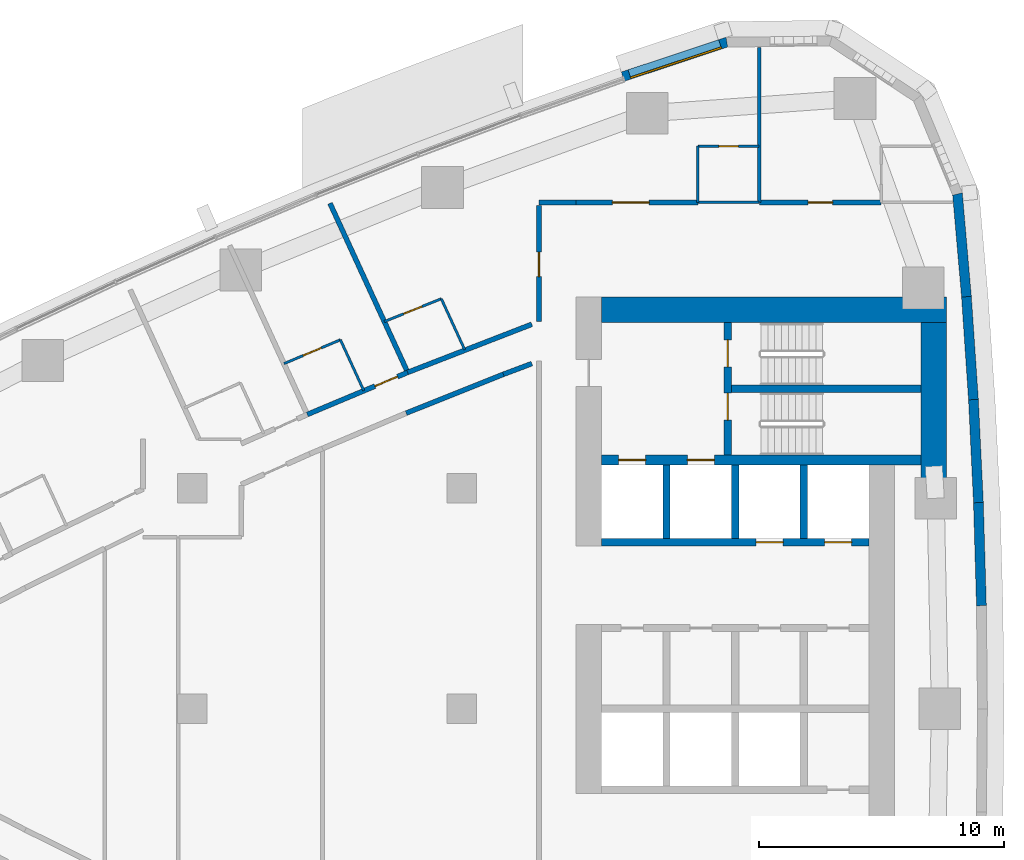
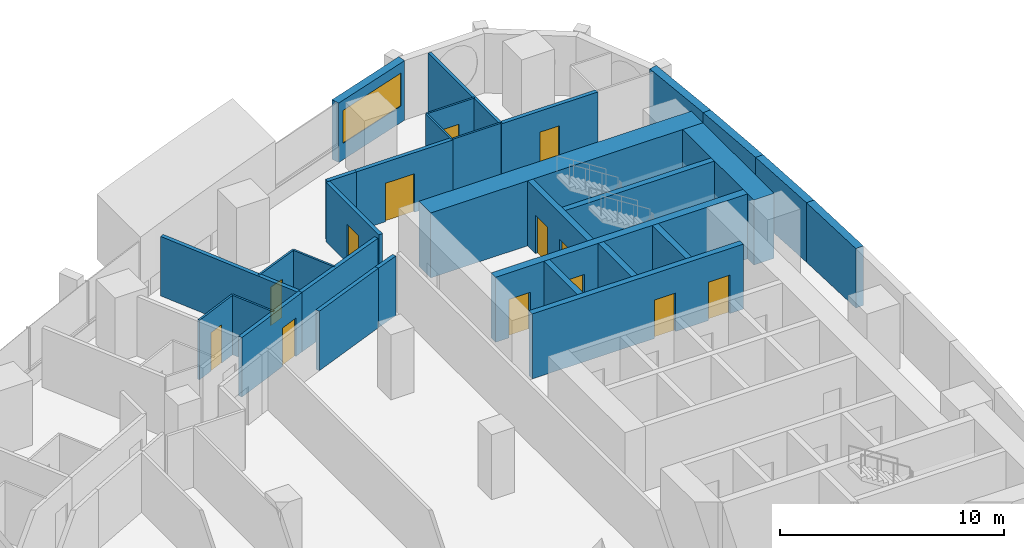
# One storey, part 12 of 17: 31 walls, 13 doors, 1 window, 14 openings.
"""IFC4 building model written with IfcOpenShell, lengths in metres."""

from ifc_helpers import new_model, si_unit, direction, frame, frame_2d, origin, place, context, subcontext, project, spatial, polyline, rectangle, outline, extrude, material, layer, layer_set, type_object, element, fill, save


model = new_model("IFC4")

# Units and contexts
model_context = context("Model", 3, precision=1e-05, world=origin(), true_north=direction((0.0, 1.0)))
body_context = subcontext(model_context, "Body", "Model", "MODEL_VIEW")
ifc_project = project(units=[si_unit("LENGTHUNIT", "METRE"), si_unit("AREAUNIT", "SQUARE_METRE"), si_unit("VOLUMEUNIT", "CUBIC_METRE"), si_unit("PLANEANGLEUNIT", "RADIAN"), si_unit("MASSUNIT", "GRAM", prefix="KILO")], contexts=[model_context])

# Site, building, storey
site_placement = place(None, origin())
site = spatial("IfcSite", under=ifc_project, at=site_placement, CompositionType="ELEMENT")
building_placement = place(site_placement, origin())
building = spatial("IfcBuilding", under=site, at=building_placement, Name="Ostrand Prow Hotel Tower", CompositionType="ELEMENT")
storey_placement = place(building_placement, frame((0.0, 0.0, 84.89990234375)))
storey = spatial("IfcBuildingStorey", under=building, at=storey_placement, Name="L19", CompositionType="ELEMENT", Elevation=84.89990234375)

# Walls
ifc_material_1 = material(Name="Concrete C80/95", Category="concrete")
ifc_layer_1 = layer(ifc_material_1, 1.050048828125)
ifc_layer_set_1 = layer_set([ifc_layer_1], Name="Concrete C80/95")
wall_type_1 = type_object("IfcWallType", Name="Core wall 1050 C80/95", PredefinedType="SHEAR", material=ifc_layer_set_1)
wall_1_placement = place(storey_placement, frame((50.699951171875, 16.27490234375, 0.0), z_axis=(0.0, 0.0, 1.0), x_axis=(1.0, 0.0, 0.0)))
element("IfcWall", 1, at=wall_1_placement, inside=storey, type_object=wall_type_1, Name="Core wall CW-N", PredefinedType="SHEAR", context=body_context, shape_type="SweptSolid", body=[
    extrude(rectangle(XDim=14.070068359375, YDim=1.050048828125, at=frame_2d((7.03515625, 0.0))), origin(), (0.0, 0.0, 1.0), 3.550048828125),
])
wall_2_placement = place(storey_placement, frame((64.2451171875, 9.388671875, 0.0), z_axis=(0.0, 0.0, 1.0), x_axis=(0.0, 1.0, 0.0)))
element("IfcWall", 2, at=wall_2_placement, inside=storey, type_object=wall_type_1, Name="Core wall CW-E-N", PredefinedType="SHEAR", context=body_context, shape_type="SweptSolid", body=[
    extrude(rectangle(XDim=6.361328125, YDim=1.050048828125, at=frame_2d((3.1806640625, 0.0))), origin(), (0.0, 0.0, 1.0), 3.550048828125),
])

# Wall, openings, doors
ifc_material_2 = material(Name="Concrete C80/95", Category="concrete")
ifc_layer_2 = layer(ifc_material_2, 0.300048828125)
ifc_layer_set_2 = layer_set([ifc_layer_2], Name="Concrete C80/95")
wall_type_2 = type_object("IfcWallType", Name="Core wall 300 C80/95", PredefinedType="SHEAR", material=ifc_layer_set_2)
wall_3_placement = place(storey_placement, frame((50.699951171875, 6.800048828125, 0.0), z_axis=(0.0, 0.0, 1.0), x_axis=(1.0, 0.0, 0.0)))
wall_3 = element("IfcWall", 3, at=wall_3_placement, inside=storey, type_object=wall_type_2, Name="Core wall PW-L2-N", PredefinedType="SHEAR", context=body_context, shape_type="SweptSolid", body=[
    extrude(rectangle(XDim=10.900146484375, YDim=0.300048828125, at=frame_2d((5.4501953125, 0.0))), origin(), (0.0, 0.0, 1.0), 3.550048828125),
])
opening_1_placement = place(wall_3_placement, frame((6.300048828125, 0.0, 0.0)))
opening_1 = element("IfcOpeningElement", 4, at=opening_1_placement, cuts=wall_3, Name="Opening LD", PredefinedType="OPENING", context=body_context, shape_type="SweptSolid", body=[
    extrude(rectangle(XDim=1.10009765625, YDim=2.10009765625, at=frame_2d((0.550048828125, 1.050048828125))), frame((0.0, 0.159912109375, 0.0), z_axis=(0.0, -1.0, 0.0), x_axis=(1.0, 0.0, 0.0)), (0.0, 0.0, 1.0), 0.320068359375),
])
opening_2_placement = place(wall_3_placement, frame((9.10009765625, 0.0, 0.0)))
opening_2 = element("IfcOpeningElement", 5, at=opening_2_placement, cuts=wall_3, Name="Opening LD", PredefinedType="OPENING", context=body_context, shape_type="SweptSolid", body=[
    extrude(rectangle(XDim=1.10009765625, YDim=2.10009765625, at=frame_2d((0.550048828125, 1.050048828125))), frame((0.0, 0.159912109375, 0.0), z_axis=(0.0, -1.0, 0.0), x_axis=(1.0, 0.0, 0.0)), (0.0, 0.0, 1.0), 0.320068359375),
])
ifc_material_3 = material(Name="Stainless steel door", Category="steel")
door_type_1 = type_object("IfcDoorType", Name="Lift landing door 1100", OperationType="DOUBLE_DOOR_SLIDING", PredefinedType="DOOR", material=ifc_material_3)
door_1_placement = place(opening_1_placement, origin())
door_1 = element("IfcDoor", 6, at=door_1_placement, inside=storey, type_object=door_type_1, Name="LIFT LANDING DOOR", OperationType="DOUBLE_DOOR_SLIDING", OverallHeight=2.10009765625, OverallWidth=1.10009765625, PredefinedType="DOOR", context=body_context, shape_type="SweptSolid", body=[
    extrude(rectangle(XDim=1.10009765625, YDim=2.10009765625, at=frame_2d((0.550048828125, 1.050048828125))), frame((0.0, 0.02490234375, 0.0), z_axis=(0.0, -1.0, 0.0), x_axis=(1.0, 0.0, 0.0)), (0.0, 0.0, 1.0), 0.050048828125),
])
fill(opening_1, door_1)
door_2_placement = place(opening_2_placement, origin())
door_2 = element("IfcDoor", 7, at=door_2_placement, inside=storey, type_object=door_type_1, Name="LIFT LANDING DOOR", OperationType="DOUBLE_DOOR_SLIDING", OverallHeight=2.10009765625, OverallWidth=1.10009765625, PredefinedType="DOOR", context=body_context, shape_type="SweptSolid", body=[
    extrude(rectangle(XDim=1.10009765625, YDim=2.10009765625, at=frame_2d((0.550048828125, 1.050048828125))), frame((0.0, 0.02490234375, 0.0), z_axis=(0.0, -1.0, 0.0), x_axis=(1.0, 0.0, 0.0)), (0.0, 0.0, 1.0), 0.050048828125),
])
fill(opening_2, door_2)

# Walls
for number, where, z_axis, x_axis, name in (
    (8, (53.35009765625, 6.949951171875, 0.0), (0.0, 0.0, 1.0), (0.0, 1.0, 0.0), "Core wall PW-R1-NA"),
    (9, (56.14990234375, 6.949951171875, 0.0), (0.0, 0.0, 1.0), (0.0, 1.0, 0.0), "Core wall PW-R2-NA"),
    (10, (58.949951171875, 6.949951171875, 0.0), (0.0, 0.0, 1.0), (0.0, 1.0, 0.0), "Core wall PW-R3-NA"),
):
    element("IfcWall", number, at=place(storey_placement, frame(where, z_axis=z_axis, x_axis=x_axis)), inside=storey, type_object=wall_type_2, Name=name, PredefinedType="SHEAR", context=body_context, shape_type="SweptSolid", body=[
        extrude(rectangle(XDim=3.0, YDim=0.300048828125, at=frame_2d((1.5, 0.0))), origin(), (0.0, 0.0, 1.0), 3.550048828125),
    ])

# Wall, openings, doors
wall_4_placement = place(storey_placement, frame((55.85009765625, 10.35009765625, 0.0), z_axis=(0.0, 0.0, 1.0), x_axis=(0.0, 1.0, 0.0)))
wall_4 = element("IfcWall", 11, at=wall_4_placement, inside=storey, type_object=wall_type_2, Name="Core wall PW-VN", PredefinedType="SHEAR", context=body_context, shape_type="SweptSolid", body=[
    extrude(rectangle(XDim=5.39990234375, YDim=0.300048828125, at=frame_2d((2.699951171875, 0.0))), origin(), (0.0, 0.0, 1.0), 3.550048828125),
])
opening_3_placement = place(wall_4_placement, frame((1.429931640625, 0.0, 0.0)))
opening_3 = element("IfcOpeningElement", 12, at=opening_3_placement, cuts=wall_4, Name="Opening FD1", PredefinedType="OPENING", context=body_context, shape_type="SweptSolid", body=[
    extrude(rectangle(XDim=1.10009765625, YDim=2.10009765625, at=frame_2d((0.550048828125, 1.050048828125))), frame((0.0, 0.159912109375, 0.0), z_axis=(0.0, -1.0, 0.0), x_axis=(1.0, 0.0, 0.0)), (0.0, 0.0, 1.0), 0.320068359375),
])
opening_4_placement = place(wall_4_placement, frame((3.60009765625, 0.0, 0.0)))
opening_4 = element("IfcOpeningElement", 13, at=opening_4_placement, cuts=wall_4, Name="Opening FD1", PredefinedType="OPENING", context=body_context, shape_type="SweptSolid", body=[
    extrude(rectangle(XDim=1.10009765625, YDim=2.10009765625, at=frame_2d((0.550048828125, 1.050048828125))), frame((0.0, 0.159912109375, 0.0), z_axis=(0.0, -1.0, 0.0), x_axis=(1.0, 0.0, 0.0)), (0.0, 0.0, 1.0), 0.320068359375),
])
ifc_material_4 = material(Name="Steel fire door", Category="steel")
door_type_2 = type_object("IfcDoorType", Name="Fire door 1100 EI120", OperationType="SINGLE_SWING_RIGHT", PredefinedType="DOOR", material=ifc_material_4)
door_3_placement = place(opening_3_placement, origin())
door_3 = element("IfcDoor", 14, at=door_3_placement, inside=storey, type_object=door_type_2, Name="FIRE DOOR", OperationType="SINGLE_SWING_RIGHT", OverallHeight=2.10009765625, OverallWidth=1.10009765625, PredefinedType="DOOR", context=body_context, shape_type="SweptSolid", body=[
    extrude(rectangle(XDim=1.10009765625, YDim=2.10009765625, at=frame_2d((0.550048828125, 1.050048828125))), frame((0.0, 0.02490234375, 0.0), z_axis=(0.0, -1.0, 0.0), x_axis=(1.0, 0.0, 0.0)), (0.0, 0.0, 1.0), 0.050048828125),
])
fill(opening_3, door_3)
door_4_placement = place(opening_4_placement, origin())
door_4 = element("IfcDoor", 15, at=door_4_placement, inside=storey, type_object=door_type_2, Name="FIRE DOOR", OperationType="SINGLE_SWING_RIGHT", OverallHeight=2.10009765625, OverallWidth=1.10009765625, PredefinedType="DOOR", context=body_context, shape_type="SweptSolid", body=[
    extrude(rectangle(XDim=1.10009765625, YDim=2.10009765625, at=frame_2d((0.550048828125, 1.050048828125))), frame((0.0, 0.02490234375, 0.0), z_axis=(0.0, -1.0, 0.0), x_axis=(1.0, 0.0, 0.0)), (0.0, 0.0, 1.0), 0.050048828125),
])
fill(opening_4, door_4)

# Wall
wall_5_placement = place(storey_placement, frame((56.0, 13.050048828125, 0.0), z_axis=(0.0, 0.0, 1.0), x_axis=(1.0, 0.0, 0.0)))
element("IfcWall", 16, at=wall_5_placement, inside=storey, type_object=wall_type_2, Name="Core wall PW-ST13", PredefinedType="SHEAR", context=body_context, shape_type="SweptSolid", body=[
    extrude(rectangle(XDim=7.719970703125, YDim=0.300048828125, at=frame_2d((3.85986328125, 0.0))), origin(), (0.0, 0.0, 1.0), 3.550048828125),
])

# Wall, openings, doors
ifc_material_5 = material(Name="Concrete C80/95", Category="concrete")
ifc_layer_3 = layer(ifc_material_5, 0.39990234375)
ifc_layer_set_3 = layer_set([ifc_layer_3], Name="Concrete C80/95")
wall_type_3 = type_object("IfcWallType", Name="Core wall 400 C80/95", PredefinedType="SHEAR", material=ifc_layer_set_3)
wall_6_placement = place(storey_placement, frame((50.699951171875, 10.14990234375, 0.0), z_axis=(0.0, 0.0, 1.0), x_axis=(1.0, 0.0, 0.0)))
wall_6 = element("IfcWall", 17, at=wall_6_placement, inside=storey, type_object=wall_type_3, Name="Core wall PW-BN", PredefinedType="SHEAR", context=body_context, shape_type="SweptSolid", body=[
    extrude(rectangle(XDim=13.02001953125, YDim=0.39990234375, at=frame_2d((6.510009765625, 0.0))), origin(), (0.0, 0.0, 1.0), 3.550048828125),
])
opening_5_placement = place(wall_6_placement, frame((0.699951171875, 0.0, 0.0)))
opening_5 = element("IfcOpeningElement", 18, at=opening_5_placement, cuts=wall_6, Name="Opening LD", PredefinedType="OPENING", context=body_context, shape_type="SweptSolid", body=[
    extrude(rectangle(XDim=1.10009765625, YDim=2.10009765625, at=frame_2d((0.550048828125, 1.050048828125))), frame((0.0, 0.2099609375, 0.0), z_axis=(0.0, -1.0, 0.0), x_axis=(1.0, 0.0, 0.0)), (0.0, 0.0, 1.0), 0.419921875),
])
opening_6_placement = place(wall_6_placement, frame((3.5, 0.0, 0.0)))
opening_6 = element("IfcOpeningElement", 19, at=opening_6_placement, cuts=wall_6, Name="Opening LD", PredefinedType="OPENING", context=body_context, shape_type="SweptSolid", body=[
    extrude(rectangle(XDim=1.10009765625, YDim=2.10009765625, at=frame_2d((0.550048828125, 1.050048828125))), frame((0.0, 0.2099609375, 0.0), z_axis=(0.0, -1.0, 0.0), x_axis=(1.0, 0.0, 0.0)), (0.0, 0.0, 1.0), 0.419921875),
])
door_5_placement = place(opening_5_placement, origin())
door_5 = element("IfcDoor", 20, at=door_5_placement, inside=storey, type_object=door_type_1, Name="LIFT LANDING DOOR", OperationType="DOUBLE_DOOR_SLIDING", OverallHeight=2.10009765625, OverallWidth=1.10009765625, PredefinedType="DOOR", context=body_context, shape_type="SweptSolid", body=[
    extrude(rectangle(XDim=1.10009765625, YDim=2.10009765625, at=frame_2d((0.550048828125, 1.050048828125))), frame((0.0, 0.02490234375, 0.0), z_axis=(0.0, -1.0, 0.0), x_axis=(1.0, 0.0, 0.0)), (0.0, 0.0, 1.0), 0.050048828125),
])
fill(opening_5, door_5)
door_6_placement = place(opening_6_placement, origin())
door_6 = element("IfcDoor", 21, at=door_6_placement, inside=storey, type_object=door_type_1, Name="LIFT LANDING DOOR", OperationType="DOUBLE_DOOR_SLIDING", OverallHeight=2.10009765625, OverallWidth=1.10009765625, PredefinedType="DOOR", context=body_context, shape_type="SweptSolid", body=[
    extrude(rectangle(XDim=1.10009765625, YDim=2.10009765625, at=frame_2d((0.550048828125, 1.050048828125))), frame((0.0, 0.02490234375, 0.0), z_axis=(0.0, -1.0, 0.0), x_axis=(1.0, 0.0, 0.0)), (0.0, 0.0, 1.0), 0.050048828125),
])
fill(opening_6, door_6)

# Wall
ifc_material_6 = material(Name="Plasterboard partition")
ifc_layer_4 = layer(ifc_material_6, 0.10009765625)
ifc_layer_set_4 = layer_set([ifc_layer_4], Name="Plasterboard partition")
wall_type_4 = type_object("IfcWallType", Name="Partition 100 bathroom wall", PredefinedType="PARTITIONING", material=ifc_layer_set_4)
wall_7_placement = place(storey_placement, frame((54.630615234375, 20.64990234375, 0.0), z_axis=(0.0, 0.0, 1.0), x_axis=(0.0, 1.0, 0.0)))
element("IfcWall", 22, at=wall_7_placement, inside=storey, type_object=wall_type_4, Name="BATHROOM WALL", PredefinedType="PARTITIONING", context=body_context, shape_type="SweptSolid", body=[
    extrude(rectangle(XDim=2.300048828125, YDim=0.10009765625, at=frame_2d((1.14990234375, 0.0))), origin(), (0.0, 0.0, 1.0), 3.25),
])

# Wall, opening, door
wall_8_placement = place(storey_placement, frame((54.630615234375, 22.949951171875, 0.0), z_axis=(0.0, 0.0, 1.0), x_axis=(1.0, 0.0, 0.0)))
wall_8 = element("IfcWall", 23, at=wall_8_placement, inside=storey, type_object=wall_type_4, Name="BATHROOM WALL", PredefinedType="PARTITIONING", context=body_context, shape_type="SweptSolid", body=[
    extrude(rectangle(XDim=2.5, YDim=0.10009765625, at=frame_2d((1.25, 0.0))), origin(), (0.0, 0.0, 1.0), 3.25),
])
opening_7_placement = place(wall_8_placement, frame((0.85009765625, 0.0, 0.0)))
opening_7 = element("IfcOpeningElement", 24, at=opening_7_placement, cuts=wall_8, Name="Opening D2", PredefinedType="OPENING", context=body_context, shape_type="SweptSolid", body=[
    extrude(rectangle(XDim=0.800048828125, YDim=2.10009765625, at=frame_2d((0.39990234375, 1.050048828125))), frame((0.0, 0.06005859375, 0.0), z_axis=(0.0, -1.0, 0.0), x_axis=(1.0, 0.0, 0.0)), (0.0, 0.0, 1.0), 0.1201171875),
])
ifc_material_7 = material(Name="Timber door leaf", Category="wood")
door_type_3 = type_object("IfcDoorType", Name="Bathroom door 800", OperationType="SINGLE_SWING_LEFT", PredefinedType="DOOR", material=ifc_material_7)
door_7_placement = place(opening_7_placement, origin())
door_7 = element("IfcDoor", 25, at=door_7_placement, inside=storey, type_object=door_type_3, Name="DOOR", OperationType="SINGLE_SWING_LEFT", OverallHeight=2.10009765625, OverallWidth=0.800048828125, PredefinedType="DOOR", context=body_context, shape_type="SweptSolid", body=[
    extrude(rectangle(XDim=0.800048828125, YDim=2.10009765625, at=frame_2d((0.39990234375, 1.050048828125))), frame((0.0, 0.02490234375, 0.0), z_axis=(0.0, -1.0, 0.0), x_axis=(1.0, 0.0, 0.0)), (0.0, 0.0, 1.0), 0.050048828125),
])
fill(opening_7, door_7)

wall_9_placement = place(storey_placement, frame((37.743896484375, 14.07958984375, 0.0), z_axis=(0.0, 0.0, 1.0), x_axis=(0.921042675983, 0.38946166566, 0.0)))
wall_9 = element("IfcWall", 26, at=wall_9_placement, inside=storey, type_object=wall_type_4, Name="BATHROOM WALL", PredefinedType="PARTITIONING", context=body_context, shape_type="SweptSolid", body=[
    extrude(rectangle(XDim=2.501220703125, YDim=0.10009765625, at=frame_2d((1.25048828125, 0.0))), origin(), (0.0, 0.0, 1.0), 3.25),
])
opening_8_placement = place(wall_9_placement, frame((0.85009765625, 0.0, 0.0)))
opening_8 = element("IfcOpeningElement", 27, at=opening_8_placement, cuts=wall_9, Name="Opening D2", PredefinedType="OPENING", context=body_context, shape_type="SweptSolid", body=[
    extrude(rectangle(XDim=0.800048828125, YDim=2.10009765625, at=frame_2d((0.39990234375, 1.050048828125))), frame((0.0, 0.06005859375, 0.0), z_axis=(0.0, -1.0, 0.0), x_axis=(1.0, 0.0, 0.0)), (0.0, 0.0, 1.0), 0.1201171875),
])
door_8_placement = place(opening_8_placement, origin())
door_8 = element("IfcDoor", 28, at=door_8_placement, inside=storey, type_object=door_type_3, Name="DOOR", OperationType="SINGLE_SWING_LEFT", OverallHeight=2.10009765625, OverallWidth=0.800048828125, PredefinedType="DOOR", context=body_context, shape_type="SweptSolid", body=[
    extrude(rectangle(XDim=0.800048828125, YDim=2.10009765625, at=frame_2d((0.39990234375, 1.050048828125))), frame((0.0, 0.02490234375, 0.0), z_axis=(0.0, -1.0, 0.0), x_axis=(1.0, 0.0, 0.0)), (0.0, 0.0, 1.0), 0.050048828125),
])
fill(opening_8, door_8)

# Wall
wall_10_placement = place(storey_placement, frame((40.047607421875, 15.0537109375, 0.0), z_axis=(0.0, 0.0, 1.0), x_axis=(0.417433204355, -0.908707609686, 0.0)))
element("IfcWall", 29, at=wall_10_placement, inside=storey, type_object=wall_type_4, Name="BATHROOM WALL", PredefinedType="PARTITIONING", context=body_context, shape_type="SweptSolid", body=[
    extrude(rectangle(XDim=2.278076171875, YDim=0.10009765625, at=frame_2d((1.13916015625, 0.0))), origin(), (0.0, 0.0, 1.0), 3.25),
])

# Wall, opening, door
wall_11_placement = place(storey_placement, frame((41.837890625, 15.798095703125, 0.0), z_axis=(0.0, 0.0, 1.0), x_axis=(0.928638024739, 0.370987087388, 0.0)))
wall_11 = element("IfcWall", 30, at=wall_11_placement, inside=storey, type_object=wall_type_4, Name="BATHROOM WALL", PredefinedType="PARTITIONING", context=body_context, shape_type="SweptSolid", body=[
    extrude(rectangle(XDim=2.50341796875, YDim=0.10009765625, at=frame_2d((1.251708984375, 0.0))), origin(), (0.0, 0.0, 1.0), 3.25),
])
opening_9_placement = place(wall_11_placement, frame((0.85009765625, 0.0, 0.0)))
opening_9 = element("IfcOpeningElement", 31, at=opening_9_placement, cuts=wall_11, Name="Opening D2", PredefinedType="OPENING", context=body_context, shape_type="SweptSolid", body=[
    extrude(rectangle(XDim=0.800048828125, YDim=2.10009765625, at=frame_2d((0.39990234375, 1.050048828125))), frame((0.0, 0.06005859375, 0.0), z_axis=(0.0, -1.0, 0.0), x_axis=(1.0, 0.0, 0.0)), (0.0, 0.0, 1.0), 0.1201171875),
])
door_9_placement = place(opening_9_placement, origin())
door_9 = element("IfcDoor", 32, at=door_9_placement, inside=storey, type_object=door_type_3, Name="DOOR", OperationType="SINGLE_SWING_LEFT", OverallHeight=2.10009765625, OverallWidth=0.800048828125, PredefinedType="DOOR", context=body_context, shape_type="SweptSolid", body=[
    extrude(rectangle(XDim=0.800048828125, YDim=2.10009765625, at=frame_2d((0.39990234375, 1.050048828125))), frame((0.0, 0.02490234375, 0.0), z_axis=(0.0, -1.0, 0.0), x_axis=(1.0, 0.0, 0.0)), (0.0, 0.0, 1.0), 0.050048828125),
])
fill(opening_9, door_9)

# Walls
wall_12_placement = place(storey_placement, frame((44.16259765625, 16.726806640625, 0.0), z_axis=(0.0, 0.0, 1.0), x_axis=(0.417373525971, -0.908735021785, 0.0)))
element("IfcWall", 33, at=wall_12_placement, inside=storey, type_object=wall_type_4, Name="BATHROOM WALL", PredefinedType="PARTITIONING", context=body_context, shape_type="SweptSolid", body=[
    extrude(rectangle(XDim=2.280029296875, YDim=0.10009765625, at=frame_2d((1.14013671875, 0.0))), origin(), (0.0, 0.0, 1.0), 3.25),
])
wall_13_placement = place(storey_placement, frame((57.130615234375, 20.655029296875, 0.0), z_axis=(0.0, 0.0, 1.0), x_axis=(-1.0, 0.0, 0.0)))
element("IfcWall", 34, at=wall_13_placement, inside=storey, type_object=wall_type_4, Name="BATHROOM WALL", PredefinedType="PARTITIONING", context=body_context, shape_type="SweptSolid", body=[
    extrude(rectangle(XDim=2.5, YDim=0.10009765625, at=frame_2d((1.25, 0.0))), origin(), (0.0, 0.0, 1.0), 3.25),
])
ifc_material_8 = material(Name="Plasterboard partition")
ifc_layer_5 = layer(ifc_material_8, 0.14990234375)
ifc_layer_set_5 = layer_set([ifc_layer_5], Name="Plasterboard partition")
wall_type_5 = type_object("IfcWallType", Name="Partition 150 room partition", PredefinedType="PARTITIONING", material=ifc_layer_set_5)
wall_14_placement = place(storey_placement, frame((57.130615234375, 20.64990234375, 0.0), z_axis=(0.0, 0.0, 1.0), x_axis=(0.0, 1.0, 0.0)))
element("IfcWall", 35, at=wall_14_placement, inside=storey, type_object=wall_type_5, Name="ROOM PARTITION", PredefinedType="PARTITIONING", context=body_context, shape_type="SweptSolid", body=[
    extrude(rectangle(XDim=6.3291015625, YDim=0.14990234375, at=frame_2d((3.16455078125, 0.0))), origin(), (0.0, 0.0, 1.0), 3.25),
])

# Wall, opening, door
ifc_material_9 = material(Name="Plasterboard partition")
ifc_layer_6 = layer(ifc_material_9, 0.199951171875)
ifc_layer_set_6 = layer_set([ifc_layer_6], Name="Plasterboard partition")
wall_type_6 = type_object("IfcWallType", Name="Partition 200 corridor wall", PredefinedType="PARTITIONING", material=ifc_layer_set_6)
wall_15_placement = place(storey_placement, frame((42.791015625, 13.7236328125, 0.0), z_axis=(0.0, 0.0, 1.0), x_axis=(-0.922230433067, -0.386640696675, 0.0)))
wall_15 = element("IfcWall", 36, at=wall_15_placement, inside=storey, type_object=wall_type_6, Name="CORRIDOR WALL", PredefinedType="PARTITIONING", context=body_context, shape_type="SweptSolid", body=[
    extrude(rectangle(XDim=4.440185546875, YDim=0.199951171875, at=frame_2d((2.22021484375, 0.0))), origin(), (0.0, 0.0, 1.0), 3.25),
])
opening_10_placement = place(wall_15_placement, frame((0.449951171875, 0.0, 0.0)))
opening_10 = element("IfcOpeningElement", 37, at=opening_10_placement, cuts=wall_15, Name="Opening D1R", PredefinedType="OPENING", context=body_context, shape_type="SweptSolid", body=[
    extrude(rectangle(XDim=1.0, YDim=2.10009765625, at=frame_2d((0.5, 1.050048828125))), frame((0.0, 0.10986328125, 0.0), z_axis=(0.0, -1.0, 0.0), x_axis=(1.0, 0.0, 0.0)), (0.0, 0.0, 1.0), 0.219970703125),
])
ifc_material_10 = material(Name="Timber door leaf", Category="wood")
door_type_4 = type_object("IfcDoorType", Name="Guest room door 1000 right", OperationType="SINGLE_SWING_RIGHT", PredefinedType="DOOR", material=ifc_material_10)
door_10_placement = place(opening_10_placement, origin())
door_10 = element("IfcDoor", 38, at=door_10_placement, inside=storey, type_object=door_type_4, Name="DOOR", OperationType="SINGLE_SWING_RIGHT", OverallHeight=2.10009765625, OverallWidth=1.0, PredefinedType="DOOR", context=body_context, shape_type="SweptSolid", body=[
    extrude(rectangle(XDim=1.0, YDim=2.10009765625, at=frame_2d((0.5, 1.050048828125))), frame((0.0, 0.02490234375, 0.0), z_axis=(0.0, -1.0, 0.0), x_axis=(1.0, 0.0, 0.0)), (0.0, 0.0, 1.0), 0.050048828125),
])
fill(opening_10, door_10)

# Wall
wall_16_placement = place(storey_placement, frame((42.727783203125, 12.0615234375, 0.0), z_axis=(0.0, 0.0, 1.0), x_axis=(0.928638161177, 0.370986745864, 0.0)))
element("IfcWall", 39, at=wall_16_placement, inside=storey, type_object=wall_type_6, Name="CORRIDOR WALL", PredefinedType="PARTITIONING", context=body_context, shape_type="SweptSolid", body=[
    extrude(rectangle(XDim=4.27294921875, YDim=0.199951171875, at=frame_2d((2.136474609375, 0.0))), origin(), (0.0, 0.0, 1.0), 3.25),
])

# Wall, opening, door
wall_17_placement = place(storey_placement, frame((54.62548828125, 20.655029296875, 0.0), z_axis=(0.0, 0.0, 1.0), x_axis=(-1.0, 0.0, 0.0)))
wall_17 = element("IfcWall", 40, at=wall_17_placement, inside=storey, type_object=wall_type_6, Name="CORRIDOR WALL", PredefinedType="PARTITIONING", context=body_context, shape_type="SweptSolid", body=[
    extrude(rectangle(XDim=4.9755859375, YDim=0.199951171875, at=frame_2d((2.48779296875, 0.0))), origin(), (0.0, 0.0, 1.0), 3.25),
])
opening_11_placement = place(wall_17_placement, frame((1.98779296875, 0.0, 0.0)))
opening_11 = element("IfcOpeningElement", 41, at=opening_11_placement, cuts=wall_17, Name="Opening D15", PredefinedType="OPENING", context=body_context, shape_type="SweptSolid", body=[
    extrude(rectangle(XDim=1.5, YDim=2.10009765625, at=frame_2d((0.75, 1.050048828125))), frame((0.0, 0.10986328125, 0.0), z_axis=(0.0, -1.0, 0.0), x_axis=(1.0, 0.0, 0.0)), (0.0, 0.0, 1.0), 0.219970703125),
])
ifc_material_11 = material(Name="Timber door leaf", Category="wood")
door_type_5 = type_object("IfcDoorType", Name="Double door 1500", OperationType="DOUBLE_DOOR_SINGLE_SWING", PredefinedType="DOOR", material=ifc_material_11)
door_11_placement = place(opening_11_placement, origin())
door_11 = element("IfcDoor", 42, at=door_11_placement, inside=storey, type_object=door_type_5, Name="DOOR", OperationType="DOUBLE_DOOR_SINGLE_SWING", OverallHeight=2.10009765625, OverallWidth=1.5, PredefinedType="DOOR", context=body_context, shape_type="SweptSolid", body=[
    extrude(rectangle(XDim=1.5, YDim=2.10009765625, at=frame_2d((0.75, 1.050048828125))), frame((0.0, 0.02490234375, 0.0), z_axis=(0.0, -1.0, 0.0), x_axis=(1.0, 0.0, 0.0)), (0.0, 0.0, 1.0), 0.050048828125),
])
fill(opening_11, door_11)

wall_18_placement = place(storey_placement, frame((62.106201171875, 20.655029296875, 0.0), z_axis=(0.0, 0.0, 1.0), x_axis=(-1.0, 0.0, 0.0)))
wall_18 = element("IfcWall", 43, at=wall_18_placement, inside=storey, type_object=wall_type_6, Name="CORRIDOR WALL", PredefinedType="PARTITIONING", context=body_context, shape_type="SweptSolid", body=[
    extrude(rectangle(XDim=4.970703125, YDim=0.199951171875, at=frame_2d((2.4853515625, 0.0))), origin(), (0.0, 0.0, 1.0), 3.25),
])
opening_12_placement = place(wall_18_placement, frame((1.9853515625, 0.0, 0.0)))
opening_12 = element("IfcOpeningElement", 44, at=opening_12_placement, cuts=wall_18, Name="Opening D1R", PredefinedType="OPENING", context=body_context, shape_type="SweptSolid", body=[
    extrude(rectangle(XDim=1.0, YDim=2.10009765625, at=frame_2d((0.5, 1.050048828125))), frame((0.0, 0.10986328125, 0.0), z_axis=(0.0, -1.0, 0.0), x_axis=(1.0, 0.0, 0.0)), (0.0, 0.0, 1.0), 0.219970703125),
])
door_12_placement = place(opening_12_placement, origin())
door_12 = element("IfcDoor", 45, at=door_12_placement, inside=storey, type_object=door_type_4, Name="DOOR", OperationType="SINGLE_SWING_RIGHT", OverallHeight=2.10009765625, OverallWidth=1.0, PredefinedType="DOOR", context=body_context, shape_type="SweptSolid", body=[
    extrude(rectangle(XDim=1.0, YDim=2.10009765625, at=frame_2d((0.5, 1.050048828125))), frame((0.0, 0.02490234375, 0.0), z_axis=(0.0, -1.0, 0.0), x_axis=(1.0, 0.0, 0.0)), (0.0, 0.0, 1.0), 0.050048828125),
])
fill(opening_12, door_12)

# Walls
wall_19_placement = place(storey_placement, frame((47.85498046875, 15.68701171875, 0.0), z_axis=(0.0, 0.0, 1.0), x_axis=(-0.932373677254, -0.361495955668, 0.0)))
element("IfcWall", 46, at=wall_19_placement, inside=storey, type_object=wall_type_6, Name="CORRIDOR WALL", PredefinedType="PARTITIONING", context=body_context, shape_type="SweptSolid", body=[
    extrude(rectangle(XDim=5.43115234375, YDim=0.199951171875, at=frame_2d((2.715576171875, 0.0))), origin(), (0.0, 0.0, 1.0), 3.25),
])
wall_20_placement = place(storey_placement, frame((46.69580078125, 13.646728515625, 0.0), z_axis=(0.0, 0.0, 1.0), x_axis=(0.935907269358, 0.352246480696, 0.0)))
element("IfcWall", 47, at=wall_20_placement, inside=storey, type_object=wall_type_6, Name="CORRIDOR WALL", PredefinedType="PARTITIONING", context=body_context, shape_type="SweptSolid", body=[
    extrude(rectangle(XDim=1.238525390625, YDim=0.199951171875, at=frame_2d((0.619140625, 0.0))), origin(), (0.0, 0.0, 1.0), 3.25),
])
wall_21_placement = place(storey_placement, frame((49.64990234375, 20.655029296875, 0.0), z_axis=(0.0, 0.0, 1.0), x_axis=(-0.999996196879, -0.002757938895, 0.0)))
element("IfcWall", 48, at=wall_21_placement, inside=storey, type_object=wall_type_6, Name="CORRIDOR WALL", PredefinedType="PARTITIONING", context=body_context, shape_type="SweptSolid", body=[
    extrude(rectangle(XDim=1.5048828125, YDim=0.199951171875, at=frame_2d((0.75244140625, 0.0))), origin(), (0.0, 0.0, 1.0), 3.25),
])

# Wall, opening, door
wall_22_placement = place(storey_placement, frame((48.14501953125, 20.531005859375, 0.0), z_axis=(0.0, 0.0, 1.0), x_axis=(5.1610239e-05, -0.999999998668, 0.0)))
wall_22 = element("IfcWall", 49, at=wall_22_placement, inside=storey, type_object=wall_type_6, Name="CORRIDOR WALL", PredefinedType="PARTITIONING", context=body_context, shape_type="SweptSolid", body=[
    extrude(rectangle(XDim=4.73046875, YDim=0.199951171875, at=frame_2d((2.365234375, 0.0))), origin(), (0.0, 0.0, 1.0), 3.25),
])
opening_13_placement = place(wall_22_placement, frame((1.89990234375, 0.0, 0.0)))
opening_13 = element("IfcOpeningElement", 50, at=opening_13_placement, cuts=wall_22, Name="Opening D1R", PredefinedType="OPENING", context=body_context, shape_type="SweptSolid", body=[
    extrude(rectangle(XDim=1.0, YDim=2.10009765625, at=frame_2d((0.5, 1.050048828125))), frame((0.0, 0.10986328125, 0.0), z_axis=(0.0, -1.0, 0.0), x_axis=(1.0, 0.0, 0.0)), (0.0, 0.0, 1.0), 0.219970703125),
])
door_13_placement = place(opening_13_placement, origin())
door_13 = element("IfcDoor", 51, at=door_13_placement, inside=storey, type_object=door_type_4, Name="DOOR", OperationType="SINGLE_SWING_RIGHT", OverallHeight=2.10009765625, OverallWidth=1.0, PredefinedType="DOOR", context=body_context, shape_type="SweptSolid", body=[
    extrude(rectangle(XDim=1.0, YDim=2.10009765625, at=frame_2d((0.5, 1.050048828125))), frame((0.0, 0.02490234375, 0.0), z_axis=(0.0, -1.0, 0.0), x_axis=(1.0, 0.0, 0.0)), (0.0, 0.0, 1.0), 0.050048828125),
])
fill(opening_13, door_13)

# Walls
ifc_material_12 = material(Name="Plasterboard partition")
ifc_layer_7 = layer(ifc_material_12, 0.199951171875)
ifc_layer_set_7 = layer_set([ifc_layer_7], Name="Plasterboard partition")
wall_type_7 = type_object("IfcWallType", Name="Partition 200 key partition", PredefinedType="PARTITIONING", material=ifc_layer_set_7)
wall_23_placement = place(storey_placement, frame((42.79931640625, 13.705322265625, 0.0), z_axis=(0.0, 0.0, 1.0), x_axis=(-0.417427858403, 0.908710065438, 0.0)))
element("IfcWall", 52, at=wall_23_placement, inside=storey, type_object=wall_type_7, Name="KEY PARTITION", PredefinedType="PARTITIONING", context=body_context, shape_type="SweptSolid", body=[
    extrude(rectangle(XDim=7.609619140625, YDim=0.199951171875, at=frame_2d((3.8046875, 0.0))), origin(), (0.0, 0.0, 1.0), 3.25),
])
ifc_material_13 = material(Name="Precast concrete C40/50", Category="concrete")
ifc_layer_8 = layer(ifc_material_13, 0.39990234375)
ifc_layer_set_8 = layer_set([ifc_layer_8], Name="Precast concrete C40/50")
wall_type_8 = type_object("IfcWallType", Name="Stone-faced precast wall 400 mm", PredefinedType="NOTDEFINED", material=ifc_layer_set_8)
for number, where, z_axis, x_axis, name in (
    (53, (66.193603515625, 4.20654296875, 0.0), (0.0, 0.0, 1.0), (-0.02901703777, 0.999578917104, 0.0), "Stone-faced wall back 11"),
    (54, (66.071533203125, 8.41162109375, 0.0), (0.0, 0.0, 1.0), (-0.048342691508, 0.998830808585, 0.0), "Stone-faced wall back 12"),
):
    element("IfcWall", number, at=place(storey_placement, frame(where, z_axis=z_axis, x_axis=x_axis)), inside=storey, type_object=wall_type_8, Name=name, PredefinedType="NOTDEFINED", context=body_context, shape_type="SweptSolid", body=[
        extrude(outline(polyline([(-0.001953125, -0.199951171875), (4.208740234375, -0.199951171875), (4.204833984375, 0.199951171875), (0.001953125, 0.199951171875), (-0.001953125, -0.199951171875)])), origin(), (0.0, 0.0, 1.0), 3.25),
    ])
wall_24_placement = place(storey_placement, frame((65.8681640625, 12.613525390625, 0.0), z_axis=(0.0, 0.0, 1.0), x_axis=(-0.067724559895, 0.997704056315, 0.0)))
element("IfcWall", 55, at=wall_24_placement, inside=storey, type_object=wall_type_8, Name="Stone-faced wall back 13", PredefinedType="NOTDEFINED", context=body_context, shape_type="SweptSolid", body=[
    extrude(outline(polyline([(-0.001953125, -0.199951171875), (4.208984375, -0.199951171875), (4.205078125, 0.199951171875), (0.001953125, 0.199951171875), (-0.001953125, -0.199951171875)])), origin(), (0.0, 0.0, 1.0), 3.25),
])
wall_25_placement = place(storey_placement, frame((65.583251953125, 16.810791015625, 0.0), z_axis=(0.0, 0.0, 1.0), x_axis=(-0.086992730434, 0.996208946382, 0.0)))
element("IfcWall", 56, at=wall_25_placement, inside=storey, type_object=wall_type_8, Name="Stone-faced wall back 14", PredefinedType="NOTDEFINED", context=body_context, shape_type="SweptSolid", body=[
    extrude(outline(polyline([(-0.001953125, -0.199951171875), (4.23779296875, -0.199951171875), (4.17578125, 0.199951171875), (0.001953125, 0.199951171875), (-0.001953125, -0.199951171875)])), origin(), (0.0, 0.0, 1.0), 3.25),
])

# Wall, opening, window
wall_26_placement = place(storey_placement, frame((55.81005859375, 27.192138671875, 0.0), z_axis=(0.0, 0.0, 1.0), x_axis=(-0.94925004851, -0.314522408429, 0.0)))
wall_26 = element("IfcWall", 57, at=wall_26_placement, inside=storey, type_object=wall_type_8, Name="Stone-faced wall back 18", PredefinedType="NOTDEFINED", context=body_context, shape_type="SweptSolid", body=[
    extrude(outline(polyline([(-0.031005859375, -0.199951171875), (4.468017578125, -0.199951171875), (4.468017578125, 0.199951171875), (0.031005859375, 0.199951171875), (-0.031005859375, -0.199951171875)])), origin(), (0.0, 0.0, 1.0), 3.25),
])
opening_14_placement = place(wall_26_placement, frame((0.283935546875, 0.0, 0.89990234375)))
opening_14 = element("IfcOpeningElement", 58, at=opening_14_placement, cuts=wall_26, Name="Opening WS3-39", PredefinedType="OPENING", context=body_context, shape_type="SweptSolid", body=[
    extrude(rectangle(XDim=3.89990234375, YDim=1.800048828125, at=frame_2d((1.949951171875, 0.89990234375))), frame((0.0, 0.2099609375, 0.0), z_axis=(0.0, -1.0, 0.0), x_axis=(1.0, 0.0, 0.0)), (0.0, 0.0, 1.0), 0.419921875),
])
ifc_material_14 = material(Name="Insulated glass in bronze frame", Category="glass")
window_type = type_object("IfcWindowType", Name="Strip window 3900x1800", PartitioningType="SINGLE_PANEL", PredefinedType="WINDOW", material=ifc_material_14)
window_placement = place(opening_14_placement, origin())
window = element("IfcWindow", 59, at=window_placement, inside=storey, type_object=window_type, Name="Window back 18.1", OverallHeight=1.800048828125, OverallWidth=3.89990234375, PartitioningType="SINGLE_PANEL", PredefinedType="WINDOW", context=body_context, shape_type="SweptSolid", body=[
    extrude(rectangle(XDim=3.89990234375, YDim=1.800048828125, at=frame_2d((1.949951171875, 0.89990234375))), frame((0.0, 0.169921875, 0.0), z_axis=(0.0, -1.0, 0.0), x_axis=(1.0, 0.0, 0.0)), (0.0, 0.0, 1.0), 0.06005859375),
])
fill(opening_14, window)

save(model, "model.ifc")
